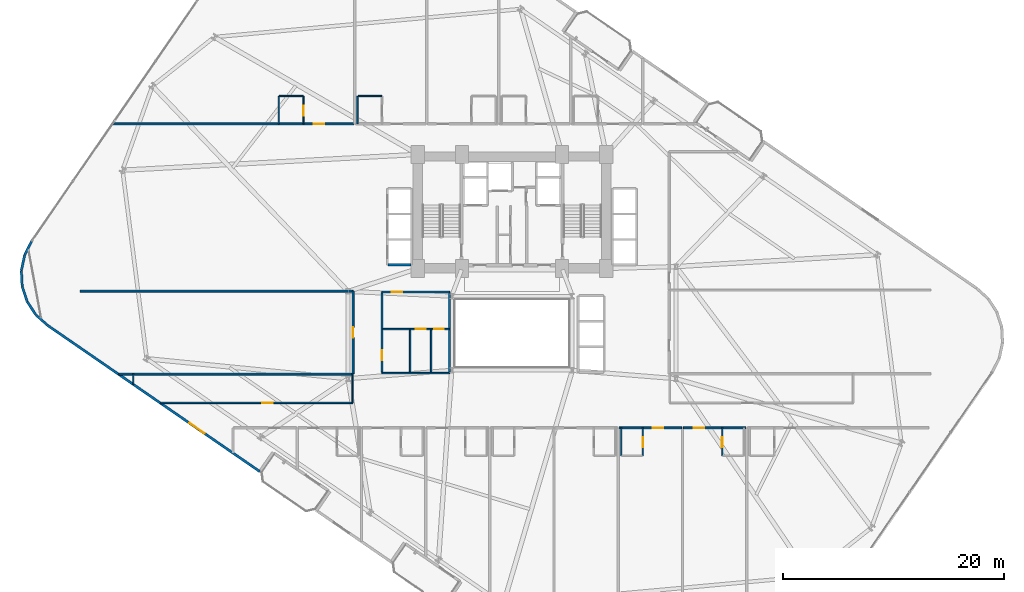
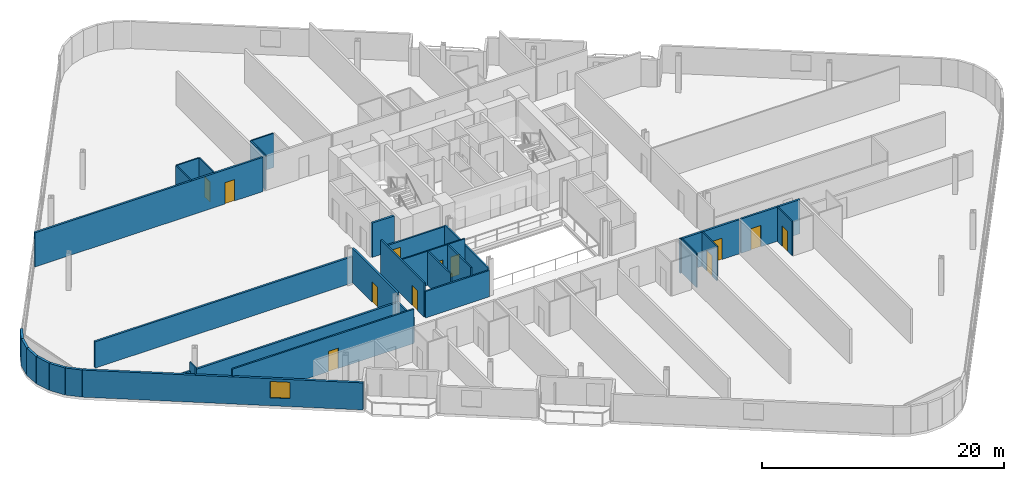
# One storey, part 20 of 27: 32 walls, 12 doors, 1 window, 13 openings.
"""IFC4 building model written with IfcOpenShell, lengths in metres."""

from ifc_helpers import new_model, si_unit, direction, frame, frame_2d, origin, place, context, subcontext, project, spatial, rectangle, extrude, material, layer, layer_set, type_object, element, fill, save


model = new_model("IFC4")

# Units and contexts
model_context = context("Model", 3, precision=1e-05, world=origin(), true_north=direction((0.0, 1.0)))
body_context = subcontext(model_context, "Body", "Model", "MODEL_VIEW")
ifc_project = project(units=[si_unit("LENGTHUNIT", "METRE"), si_unit("AREAUNIT", "SQUARE_METRE"), si_unit("VOLUMEUNIT", "CUBIC_METRE"), si_unit("PLANEANGLEUNIT", "RADIAN"), si_unit("MASSUNIT", "GRAM", prefix="KILO")], contexts=[model_context])

# Site, building, storey
site_placement = place(None, origin())
site = spatial("IfcSite", under=ifc_project, at=site_placement, CompositionType="ELEMENT")
building_placement = place(site_placement, origin())
building = spatial("IfcBuilding", under=site, at=building_placement, Name="Varnelok Gate Tower", CompositionType="ELEMENT")
storey_placement = place(building_placement, frame((0.0, 0.0, 60.300048828125)))
storey = spatial("IfcBuildingStorey", under=building, at=storey_placement, Name="L14", CompositionType="ELEMENT", Elevation=60.300048828125)

# Walls
ifc_material_1 = material(Name="Concrete C45/55", Category="concrete")
ifc_layer_1 = layer(ifc_material_1, 0.219970703125)
ifc_layer_set_1 = layer_set([ifc_layer_1], Name="Concrete C45/55")
wall_type_1 = type_object("IfcWallType", Name="EW-BALC-220", PredefinedType="SOLIDWALL", material=ifc_layer_set_1)
wall_1_placement = place(storey_placement, frame((-4.158203125, 31.24462890625, 0.0), z_axis=(0.0, 0.0, 1.0), x_axis=(-0.454777156549, -0.890605264908, 0.0)))
element("IfcWall", 1, at=wall_1_placement, inside=storey, type_object=wall_type_1, Name="L14 Perimeter Facade Closure Wall 1", PredefinedType="SOLIDWALL", context=body_context, shape_type="SweptSolid", body=[
    extrude(rectangle(XDim=1.43017578125, YDim=0.219970703125, at=frame_2d((0.715087890625, 0.0))), origin(), (0.0, 0.0, 1.0), 2.72998046875),
])
for number, where, z_axis, x_axis, name in (
    (2, (-4.81396484375, 29.946533203125, 0.0), (0.0, 0.0, 1.0), (-0.208829011645, -0.977952168511, 0.0), "L14 Perimeter Facade Closure Wall 2"),
    (3, (-5.106201171875, 28.547119140625, 0.0), (0.0, 0.0, 1.0), (0.051254741739, -0.998685611917, 0.0), "L14 Perimeter Facade Closure Wall 3"),
    (4, (-5.026611328125, 27.1201171875, 0.0), (0.0, 0.0, 1.0), (0.308190297603, -0.95132472924, 0.0), "L14 Perimeter Facade Closure Wall 4"),
    (5, (-4.580078125, 25.76220703125, 0.0), (0.0, 0.0, 1.0), (0.543748195851, -0.839248413468, 0.0), "L14 Perimeter Facade Closure Wall 5"),
):
    element("IfcWall", number, at=place(storey_placement, frame(where, z_axis=z_axis, x_axis=x_axis)), inside=storey, type_object=wall_type_1, Name=name, PredefinedType="SOLIDWALL", context=body_context, shape_type="SweptSolid", body=[
        extrude(rectangle(XDim=1.4052734375, YDim=0.219970703125, at=frame_2d((0.70263671875, 0.0))), origin(), (0.0, 0.0, 1.0), 2.72998046875),
    ])
wall_2_placement = place(storey_placement, frame((-3.79736328125, 24.56591796875, 0.0), z_axis=(0.0, 0.0, 1.0), x_axis=(0.742537711837, -0.66980425984, 0.0)))
element("IfcWall", 6, at=wall_2_placement, inside=storey, type_object=wall_type_1, Name="L14 Perimeter Facade Closure Wall 6", PredefinedType="SOLIDWALL", context=body_context, shape_type="SweptSolid", body=[
    extrude(rectangle(XDim=1.4130859375, YDim=0.219970703125, at=frame_2d((0.70654296875, 0.0))), origin(), (0.0, 0.0, 1.0), 2.72998046875),
])

# Wall, opening, window
wall_3_placement = place(storey_placement, frame((-2.7275390625, 23.60498046875, 0.0), z_axis=(0.0, 0.0, 1.0), x_axis=(0.823535075462, -0.567265351915, 0.0)))
wall_3 = element("IfcWall", 7, at=wall_3_placement, inside=storey, type_object=wall_type_1, Name="L14 Perimeter Facade Closure Wall 7", PredefinedType="SOLIDWALL", context=body_context, shape_type="SweptSolid", body=[
    extrude(rectangle(XDim=23.2470703125, YDim=0.219970703125, at=frame_2d((11.62353515625, 0.0))), origin(), (0.0, 0.0, 1.0), 2.72998046875),
])
opening_1_placement = place(wall_3_placement, frame((15.550048828125, 0.0, 0.800048828125)))
opening_1 = element("IfcOpeningElement", 8, at=opening_1_placement, cuts=wall_3, Name="Opening WN3", PredefinedType="OPENING", context=body_context, shape_type="SweptSolid", body=[
    extrude(rectangle(XDim=1.64990234375, YDim=1.64990234375, at=frame_2d((0.824951171875, 0.824951171875))), frame((0.0, 0.119873046875, 0.0), z_axis=(0.0, -1.0, 0.0), x_axis=(1.0, 0.0, 0.0)), (0.0, 0.0, 1.0), 0.239990234375),
])
ifc_material_2 = material(Name="Low-E Laminated Double Glazing IGU", Category="glass")
window_type = type_object("IfcWindowType", Name="WN-HTL-1650", PartitioningType="SINGLE_PANEL", PredefinedType="WINDOW", material=ifc_material_2)
window_placement = place(opening_1_placement, origin())
window = element("IfcWindow", 9, at=window_placement, inside=storey, type_object=window_type, Name="L14 Perimeter Vision Window 7", OverallHeight=1.64990234375, OverallWidth=1.64990234375, PartitioningType="SINGLE_PANEL", PredefinedType="WINDOW", context=body_context, shape_type="SweptSolid", body=[
    extrude(rectangle(XDim=1.64990234375, YDim=1.64990234375, at=frame_2d((0.824951171875, 0.824951171875))), frame((0.0, 0.030029296875, 0.0), z_axis=(0.0, -1.0, 0.0), x_axis=(1.0, 0.0, 0.0)), (0.0, 0.0, 1.0), 0.06005859375),
])
fill(opening_1, window)

# Wall, opening, door
ifc_material_3 = material(Name="Gypsum Plasterboard Acoustic Partition", Category="gypsum")
ifc_layer_2 = layer(ifc_material_3, 0.179931640625)
ifc_layer_set_2 = layer_set([ifc_layer_2], Name="Gypsum Plasterboard Acoustic Partition")
wall_type_2 = type_object("IfcWallType", Name="PW-CORR-180", PredefinedType="PARTITIONING", material=ifc_layer_set_2)
wall_4_placement = place(storey_placement, frame((48.8798828125, 14.35009765625, 0.0), z_axis=(0.0, 0.0, 1.0), x_axis=(1.0, 0.0, 0.0)))
wall_4 = element("IfcWall", 10, at=wall_4_placement, inside=storey, type_object=wall_type_2, Name="Interior Partition", PredefinedType="PARTITIONING", context=body_context, shape_type="SweptSolid", body=[
    extrude(rectangle(XDim=5.64013671875, YDim=0.179931640625, at=frame_2d((2.820068359375, 0.0))), origin(), (0.0, 0.0, 1.0), 3.449951171875),
])
opening_2_placement = place(wall_4_placement, frame((3.044677734375, 0.0, 0.0)))
opening_2 = element("IfcOpeningElement", 11, at=opening_2_placement, cuts=wall_4, Name="Opening D-HT", PredefinedType="OPENING", context=body_context, shape_type="SweptSolid", body=[
    extrude(rectangle(XDim=0.949951171875, YDim=2.14990234375, at=frame_2d((0.47509765625, 1.074951171875))), frame((0.0, 0.099853515625, 0.0), z_axis=(0.0, -1.0, 0.0), x_axis=(1.0, 0.0, 0.0)), (0.0, 0.0, 1.0), 0.199951171875),
])
ifc_material_4 = material(Name="Engineered Hardwood Timber", Category="wood")
door_type_1 = type_object("IfcDoorType", Name="DR-HTL-950", OperationType="NOTDEFINED", PredefinedType="DOOR", material=ifc_material_4)
door_1_placement = place(opening_2_placement, origin())
door_1 = element("IfcDoor", 12, at=door_1_placement, inside=storey, type_object=door_type_1, Name="L14 Guest Room 08 Entrance Door", OperationType="SINGLE_SWING_LEFT", OverallHeight=2.14990234375, OverallWidth=0.949951171875, PredefinedType="DOOR", context=body_context, shape_type="SweptSolid", body=[
    extrude(rectangle(XDim=0.949951171875, YDim=2.14990234375, at=frame_2d((0.47509765625, 1.074951171875))), frame((0.0, 0.02490234375, 0.0), z_axis=(0.0, -1.0, 0.0), x_axis=(1.0, 0.0, 0.0)), (0.0, 0.0, 1.0), 0.050048828125),
])
fill(opening_2, door_1)

wall_5_placement = place(storey_placement, frame((54.679931640625, 14.35009765625, 0.0), z_axis=(0.0, 0.0, 1.0), x_axis=(1.0, 0.0, 0.0)))
wall_5 = element("IfcWall", 13, at=wall_5_placement, inside=storey, type_object=wall_type_2, Name="Interior Partition", PredefinedType="PARTITIONING", context=body_context, shape_type="SweptSolid", body=[
    extrude(rectangle(XDim=5.64013671875, YDim=0.179931640625, at=frame_2d((2.820068359375, 0.0))), origin(), (0.0, 0.0, 1.0), 3.449951171875),
])
opening_3_placement = place(wall_5_placement, frame((0.9326171875, 0.0, 0.0)))
opening_3 = element("IfcOpeningElement", 14, at=opening_3_placement, cuts=wall_5, Name="Opening D-HT", PredefinedType="OPENING", context=body_context, shape_type="SweptSolid", body=[
    extrude(rectangle(XDim=0.949951171875, YDim=2.14990234375, at=frame_2d((0.47509765625, 1.074951171875))), frame((0.0, 0.099853515625, 0.0), z_axis=(0.0, -1.0, 0.0), x_axis=(1.0, 0.0, 0.0)), (0.0, 0.0, 1.0), 0.199951171875),
])
door_2_placement = place(opening_3_placement, origin())
door_2 = element("IfcDoor", 15, at=door_2_placement, inside=storey, type_object=door_type_1, Name="L14 Guest Room 09 Entrance Door", OperationType="SINGLE_SWING_RIGHT", OverallHeight=2.14990234375, OverallWidth=0.949951171875, PredefinedType="DOOR", context=body_context, shape_type="SweptSolid", body=[
    extrude(rectangle(XDim=0.949951171875, YDim=2.14990234375, at=frame_2d((0.47509765625, 1.074951171875))), frame((0.0, 0.02490234375, 0.0), z_axis=(0.0, -1.0, 0.0), x_axis=(1.0, 0.0, 0.0)), (0.0, 0.0, 1.0), 0.050048828125),
])
fill(opening_3, door_2)

wall_6_placement = place(storey_placement, frame((3.17578125, 41.800048828125, 0.0), z_axis=(0.0, 0.0, 1.0), x_axis=(1.0, 0.0, 0.0)))
wall_6 = element("IfcWall", 16, at=wall_6_placement, inside=storey, type_object=wall_type_2, Name="Interior Partition", PredefinedType="PARTITIONING", context=body_context, shape_type="SweptSolid", body=[
    extrude(rectangle(XDim=21.744140625, YDim=0.179931640625, at=frame_2d((10.8720703125, 0.0))), origin(), (0.0, 0.0, 1.0), 3.449951171875),
])
opening_4_placement = place(wall_6_placement, frame((18.100830078125, 0.0, 0.0)))
opening_4 = element("IfcOpeningElement", 17, at=opening_4_placement, cuts=wall_6, Name="Opening D-HT", PredefinedType="OPENING", context=body_context, shape_type="SweptSolid", body=[
    extrude(rectangle(XDim=0.949951171875, YDim=2.14990234375, at=frame_2d((0.47509765625, 1.074951171875))), frame((0.0, 0.099853515625, 0.0), z_axis=(0.0, -1.0, 0.0), x_axis=(1.0, 0.0, 0.0)), (0.0, 0.0, 1.0), 0.199951171875),
])
door_3_placement = place(opening_4_placement, origin())
door_3 = element("IfcDoor", 18, at=door_3_placement, inside=storey, type_object=door_type_1, Name="L14 Guest Room 11 Entrance Door", OperationType="SINGLE_SWING_RIGHT", OverallHeight=2.14990234375, OverallWidth=0.949951171875, PredefinedType="DOOR", context=body_context, shape_type="SweptSolid", body=[
    extrude(rectangle(XDim=0.949951171875, YDim=2.14990234375, at=frame_2d((0.47509765625, 1.074951171875))), frame((0.0, 0.02490234375, 0.0), z_axis=(0.0, -1.0, 0.0), x_axis=(1.0, 0.0, 0.0)), (0.0, 0.0, 1.0), 0.050048828125),
])
fill(opening_4, door_3)

wall_7_placement = place(storey_placement, frame((24.85009765625, 19.239990234375, 0.0), z_axis=(0.0, 0.0, 1.0), x_axis=(0.0, 1.0, 0.0)))
wall_7 = element("IfcWall", 19, at=wall_7_placement, inside=storey, type_object=wall_type_2, Name="Interior Partition", PredefinedType="PARTITIONING", context=body_context, shape_type="SweptSolid", body=[
    extrude(rectangle(XDim=7.4599609375, YDim=0.179931640625, at=frame_2d((3.72998046875, 0.0))), origin(), (0.0, 0.0, 1.0), 3.449951171875),
])
opening_5_placement = place(wall_7_placement, frame((3.235107421875, 0.0, 0.0)))
opening_5 = element("IfcOpeningElement", 20, at=opening_5_placement, cuts=wall_7, Name="Opening D-I2", PredefinedType="OPENING", context=body_context, shape_type="SweptSolid", body=[
    extrude(rectangle(XDim=0.949951171875, YDim=2.050048828125, at=frame_2d((0.47509765625, 1.02490234375))), frame((0.0, 0.099853515625, 0.0), z_axis=(0.0, -1.0, 0.0), x_axis=(1.0, 0.0, 0.0)), (0.0, 0.0, 1.0), 0.199951171875),
])
door_type_2 = type_object("IfcDoorType", Name="DR-INT-950", OperationType="NOTDEFINED", PredefinedType="DOOR", material=ifc_material_4)
door_4_placement = place(opening_5_placement, origin())
door_4 = element("IfcDoor", 21, at=door_4_placement, inside=storey, type_object=door_type_2, Name="L14 West Flank Room Door", OperationType="SINGLE_SWING_LEFT", OverallHeight=2.050048828125, OverallWidth=0.949951171875, PredefinedType="DOOR", context=body_context, shape_type="SweptSolid", body=[
    extrude(rectangle(XDim=0.949951171875, YDim=2.050048828125, at=frame_2d((0.47509765625, 1.02490234375))), frame((0.0, 0.02490234375, 0.0), z_axis=(0.0, -1.0, 0.0), x_axis=(1.0, 0.0, 0.0)), (0.0, 0.0, 1.0), 0.050048828125),
])
fill(opening_5, door_4)

# Walls
wall_8_placement = place(storey_placement, frame((3.702880859375, 19.199951171875, 0.0), z_axis=(0.0, 0.0, 1.0), x_axis=(1.0, 0.0, 0.0)))
element("IfcWall", 22, at=wall_8_placement, inside=storey, type_object=wall_type_2, Name="Interior Partition", PredefinedType="PARTITIONING", context=body_context, shape_type="SweptSolid", body=[
    extrude(rectangle(XDim=21.147216796875, YDim=0.179931640625, at=frame_2d((10.57373046875, 0.0))), origin(), (0.0, 0.0, 1.0), 2.579833984375),
])
wall_9_placement = place(storey_placement, frame((0.199951171875, 26.699951171875, 0.0), z_axis=(0.0, 0.0, 1.0), x_axis=(1.0, 0.0, 0.0)))
element("IfcWall", 23, at=wall_9_placement, inside=storey, type_object=wall_type_2, Name="Interior Partition", PredefinedType="PARTITIONING", context=body_context, shape_type="SweptSolid", body=[
    extrude(rectangle(XDim=24.650146484375, YDim=0.179931640625, at=frame_2d((12.3251953125, 0.0))), origin(), (0.0, 0.0, 1.0), 2.661865234375),
])

# Wall, opening, door
ifc_layer_3 = layer(ifc_material_3, 0.114990234375)
ifc_layer_set_3 = layer_set([ifc_layer_3], Name="Gypsum Plasterboard Acoustic Partition")
wall_type_3 = type_object("IfcWallType", Name="PW-ENS-125", PredefinedType="PARTITIONING", material=ifc_layer_set_3)
wall_10_placement = place(storey_placement, frame((51.011962890625, 11.830078125, 0.0), z_axis=(0.0, 0.0, 1.0), x_axis=(0.0, 1.0, 0.0)))
wall_10 = element("IfcWall", 24, at=wall_10_placement, inside=storey, type_object=wall_type_3, Name="Interior Partition", PredefinedType="PARTITIONING", context=body_context, shape_type="SweptSolid", body=[
    extrude(rectangle(XDim=2.52001953125, YDim=0.114990234375, at=frame_2d((1.260009765625, 0.0))), origin(), (0.0, 0.0, 1.0), 3.449951171875),
])
opening_6_placement = place(wall_10_placement, frame((0.760009765625, 0.0, 0.0)))
opening_6 = element("IfcOpeningElement", 25, at=opening_6_placement, cuts=wall_10, Name="Opening D-WC", PredefinedType="OPENING", context=body_context, shape_type="SweptSolid", body=[
    extrude(rectangle(XDim=0.89990234375, YDim=2.050048828125, at=frame_2d((0.449951171875, 1.02490234375))), frame((0.0, 0.0673828125, 0.0), z_axis=(0.0, -1.0, 0.0), x_axis=(1.0, 0.0, 0.0)), (0.0, 0.0, 1.0), 0.135009765625),
])
door_type_3 = type_object("IfcDoorType", Name="DR-BATH-900", OperationType="NOTDEFINED", PredefinedType="DOOR", material=ifc_material_4)
door_5_placement = place(opening_6_placement, origin())
door_5 = element("IfcDoor", 26, at=door_5_placement, inside=storey, type_object=door_type_3, Name="L14 Guest En-Suite 08 Door", OperationType="SINGLE_SWING_LEFT", OverallHeight=2.050048828125, OverallWidth=0.89990234375, PredefinedType="DOOR", context=body_context, shape_type="SweptSolid", body=[
    extrude(rectangle(XDim=0.89990234375, YDim=2.050048828125, at=frame_2d((0.449951171875, 1.02490234375))), frame((0.0, 0.02490234375, 0.0), z_axis=(0.0, -1.0, 0.0), x_axis=(1.0, 0.0, 0.0)), (0.0, 0.0, 1.0), 0.050048828125),
])
fill(opening_6, door_5)

# Wall
wall_11_placement = place(storey_placement, frame((49.06005859375, 11.830078125, 0.0), z_axis=(0.0, 0.0, 1.0), x_axis=(0.0, 1.0, 0.0)))
element("IfcWall", 27, at=wall_11_placement, inside=storey, type_object=wall_type_3, Name="Interior Partition", PredefinedType="PARTITIONING", context=body_context, shape_type="SweptSolid", body=[
    extrude(rectangle(XDim=2.52001953125, YDim=0.114990234375, at=frame_2d((1.260009765625, 0.0))), origin(), (0.0, 0.0, 1.0), 3.449951171875),
])

# Wall, opening, door
wall_12_placement = place(storey_placement, frame((58.18798828125, 11.830078125, 0.0), z_axis=(0.0, 0.0, 1.0), x_axis=(0.0, 1.0, 0.0)))
wall_12 = element("IfcWall", 28, at=wall_12_placement, inside=storey, type_object=wall_type_3, Name="Interior Partition", PredefinedType="PARTITIONING", context=body_context, shape_type="SweptSolid", body=[
    extrude(rectangle(XDim=2.52001953125, YDim=0.114990234375, at=frame_2d((1.260009765625, 0.0))), origin(), (0.0, 0.0, 1.0), 3.449951171875),
])
opening_7_placement = place(wall_12_placement, frame((0.760009765625, 0.0, 0.0)))
opening_7 = element("IfcOpeningElement", 29, at=opening_7_placement, cuts=wall_12, Name="Opening D-WC", PredefinedType="OPENING", context=body_context, shape_type="SweptSolid", body=[
    extrude(rectangle(XDim=0.89990234375, YDim=2.050048828125, at=frame_2d((0.449951171875, 1.02490234375))), frame((0.0, 0.0673828125, 0.0), z_axis=(0.0, -1.0, 0.0), x_axis=(1.0, 0.0, 0.0)), (0.0, 0.0, 1.0), 0.135009765625),
])
door_6_placement = place(opening_7_placement, origin())
door_6 = element("IfcDoor", 30, at=door_6_placement, inside=storey, type_object=door_type_3, Name="L14 Guest En-Suite 09 Door", OperationType="SINGLE_SWING_RIGHT", OverallHeight=2.050048828125, OverallWidth=0.89990234375, PredefinedType="DOOR", context=body_context, shape_type="SweptSolid", body=[
    extrude(rectangle(XDim=0.89990234375, YDim=2.050048828125, at=frame_2d((0.449951171875, 1.02490234375))), frame((0.0, 0.02490234375, 0.0), z_axis=(0.0, -1.0, 0.0), x_axis=(1.0, 0.0, 0.0)), (0.0, 0.0, 1.0), 0.050048828125),
])
fill(opening_7, door_6)

# Wall
wall_13_placement = place(storey_placement, frame((18.179931640625, 44.320068359375, 0.0), z_axis=(0.0, 0.0, 1.0), x_axis=(1.0, 0.0, 0.0)))
element("IfcWall", 31, at=wall_13_placement, inside=storey, type_object=wall_type_3, Name="Interior Partition", PredefinedType="PARTITIONING", context=body_context, shape_type="SweptSolid", body=[
    extrude(rectangle(XDim=2.150146484375, YDim=0.114990234375, at=frame_2d((1.0751953125, 0.0))), origin(), (0.0, 0.0, 1.0), 3.449951171875),
])

# Wall, opening, door
wall_14_placement = place(storey_placement, frame((20.3701171875, 41.800048828125, 0.0), z_axis=(0.0, 0.0, 1.0), x_axis=(0.0, 1.0, 0.0)))
wall_14 = element("IfcWall", 32, at=wall_14_placement, inside=storey, type_object=wall_type_3, Name="Interior Partition", PredefinedType="PARTITIONING", context=body_context, shape_type="SweptSolid", body=[
    extrude(rectangle(XDim=2.52001953125, YDim=0.114990234375, at=frame_2d((1.260009765625, 0.0))), origin(), (0.0, 0.0, 1.0), 3.449951171875),
])
opening_8_placement = place(wall_14_placement, frame((0.760009765625, 0.0, 0.0)))
opening_8 = element("IfcOpeningElement", 33, at=opening_8_placement, cuts=wall_14, Name="Opening D-WC", PredefinedType="OPENING", context=body_context, shape_type="SweptSolid", body=[
    extrude(rectangle(XDim=0.89990234375, YDim=2.050048828125, at=frame_2d((0.449951171875, 1.02490234375))), frame((0.0, 0.0673828125, 0.0), z_axis=(0.0, -1.0, 0.0), x_axis=(1.0, 0.0, 0.0)), (0.0, 0.0, 1.0), 0.135009765625),
])
door_7_placement = place(opening_8_placement, origin())
door_7 = element("IfcDoor", 34, at=door_7_placement, inside=storey, type_object=door_type_3, Name="L14 North En-Suite 11 Door", OperationType="SINGLE_SWING_RIGHT", OverallHeight=2.050048828125, OverallWidth=0.89990234375, PredefinedType="DOOR", context=body_context, shape_type="SweptSolid", body=[
    extrude(rectangle(XDim=0.89990234375, YDim=2.050048828125, at=frame_2d((0.449951171875, 1.02490234375))), frame((0.0, 0.02490234375, 0.0), z_axis=(0.0, -1.0, 0.0), x_axis=(1.0, 0.0, 0.0)), (0.0, 0.0, 1.0), 0.050048828125),
])
fill(opening_8, door_7)

# Walls
wall_15_placement = place(storey_placement, frame((18.139892578125, 41.800048828125, 0.0), z_axis=(0.0, 0.0, 1.0), x_axis=(0.0, 1.0, 0.0)))
element("IfcWall", 35, at=wall_15_placement, inside=storey, type_object=wall_type_3, Name="Interior Partition", PredefinedType="PARTITIONING", context=body_context, shape_type="SweptSolid", body=[
    extrude(rectangle(XDim=2.52001953125, YDim=0.114990234375, at=frame_2d((1.260009765625, 0.0))), origin(), (0.0, 0.0, 1.0), 3.449951171875),
])
wall_16_placement = place(storey_placement, frame((25.300048828125, 44.320068359375, 0.0), z_axis=(0.0, 0.0, 1.0), x_axis=(1.0, 0.0, 0.0)))
element("IfcWall", 36, at=wall_16_placement, inside=storey, type_object=wall_type_3, Name="Interior Partition", PredefinedType="PARTITIONING", context=body_context, shape_type="SweptSolid", body=[
    extrude(rectangle(XDim=2.1240234375, YDim=0.114990234375, at=frame_2d((1.06201171875, 0.0))), origin(), (0.0, 0.0, 1.0), 3.449951171875),
])
wall_17_placement = place(storey_placement, frame((25.260009765625, 41.800048828125, 0.0), z_axis=(0.0, 0.0, 1.0), x_axis=(0.0, 1.0, 0.0)))
element("IfcWall", 37, at=wall_17_placement, inside=storey, type_object=wall_type_3, Name="Interior Partition", PredefinedType="PARTITIONING", context=body_context, shape_type="SweptSolid", body=[
    extrude(rectangle(XDim=2.52001953125, YDim=0.114990234375, at=frame_2d((1.260009765625, 0.0))), origin(), (0.0, 0.0, 1.0), 3.449951171875),
])
ifc_layer_4 = layer(ifc_material_3, 0.125)
ifc_layer_set_4 = layer_set([ifc_layer_4], Name="Gypsum Plasterboard Acoustic Partition")
wall_type_4 = type_object("IfcWallType", Name="PW-PART-125", PredefinedType="PARTITIONING", material=ifc_layer_set_4)
wall_18_placement = place(storey_placement, frame((5.0, 18.306396484375, 0.0), z_axis=(0.0, 0.0, 1.0), x_axis=(0.0, 1.0, 0.0)))
element("IfcWall", 38, at=wall_18_placement, inside=storey, type_object=wall_type_4, Name="Interior Partition", PredefinedType="PARTITIONING", context=body_context, shape_type="SweptSolid", body=[
    extrude(rectangle(XDim=0.93359375, YDim=0.125, at=frame_2d((0.466796875, 0.0))), origin(), (0.0, 0.0, 1.0), 3.449951171875),
])
wall_19_placement = place(storey_placement, frame((24.800048828125, 16.610107421875, 0.0), z_axis=(0.0, 0.0, 1.0), x_axis=(0.0, 1.0, 0.0)))
element("IfcWall", 39, at=wall_19_placement, inside=storey, type_object=wall_type_4, Name="Interior Partition", PredefinedType="PARTITIONING", context=body_context, shape_type="SweptSolid", body=[
    extrude(rectangle(XDim=2.6298828125, YDim=0.125, at=frame_2d((1.31494140625, 0.0))), origin(), (0.0, 0.0, 1.0), 2.579833984375),
])

# Wall, openings, doors
wall_20_placement = place(storey_placement, frame((27.52001953125, 23.27001953125, 0.0), z_axis=(0.0, 0.0, 1.0), x_axis=(1.0, 0.0, 0.0)))
wall_20 = element("IfcWall", 40, at=wall_20_placement, inside=storey, type_object=wall_type_4, Name="Interior Partition", PredefinedType="PARTITIONING", context=body_context, shape_type="SweptSolid", body=[
    extrude(rectangle(XDim=6.0, YDim=0.125, at=frame_2d((3.0, 0.0))), origin(), (0.0, 0.0, 1.0), 3.449951171875),
])
opening_9_placement = place(wall_20_placement, frame((2.981689453125, 0.0, 0.0)))
opening_9 = element("IfcOpeningElement", 41, at=opening_9_placement, cuts=wall_20, Name="Opening D-I4", PredefinedType="OPENING", context=body_context, shape_type="SweptSolid", body=[
    extrude(rectangle(XDim=0.89990234375, YDim=2.050048828125, at=frame_2d((0.449951171875, 1.02490234375))), frame((0.0, 0.072509765625, 0.0), z_axis=(0.0, -1.0, 0.0), x_axis=(1.0, 0.0, 0.0)), (0.0, 0.0, 1.0), 0.14501953125),
])
opening_10_placement = place(wall_20_placement, frame((4.64990234375, 0.0, 0.0)))
opening_10 = element("IfcOpeningElement", 42, at=opening_10_placement, cuts=wall_20, Name="Opening D-RS", PredefinedType="OPENING", context=body_context, shape_type="SweptSolid", body=[
    extrude(rectangle(XDim=0.85009765625, YDim=2.050048828125, at=frame_2d((0.425048828125, 1.02490234375))), frame((0.0, 0.072509765625, 0.0), z_axis=(0.0, -1.0, 0.0), x_axis=(1.0, 0.0, 0.0)), (0.0, 0.0, 1.0), 0.14501953125),
])
door_type_4 = type_object("IfcDoorType", Name="DR-INT-900", OperationType="NOTDEFINED", PredefinedType="DOOR", material=ifc_material_4)
door_8_placement = place(opening_9_placement, origin())
door_8 = element("IfcDoor", 43, at=door_8_placement, inside=storey, type_object=door_type_4, Name="L14 Trolley Room Door", OperationType="SINGLE_SWING_LEFT", OverallHeight=2.050048828125, OverallWidth=0.89990234375, PredefinedType="DOOR", context=body_context, shape_type="SweptSolid", body=[
    extrude(rectangle(XDim=0.89990234375, YDim=2.050048828125, at=frame_2d((0.449951171875, 1.02490234375))), frame((0.0, 0.02490234375, 0.0), z_axis=(0.0, -1.0, 0.0), x_axis=(1.0, 0.0, 0.0)), (0.0, 0.0, 1.0), 0.050048828125),
])
fill(opening_9, door_8)
ifc_material_5 = material(Name="Galvanized Steel Grade S350GD", Category="steel")
door_type_5 = type_object("IfcDoorType", Name="DR-RISER-850", OperationType="NOTDEFINED", PredefinedType="DOOR", material=ifc_material_5)
door_9_placement = place(opening_10_placement, origin())
door_9 = element("IfcDoor", 44, at=door_9_placement, inside=storey, type_object=door_type_5, Name="L14 Janitor Sink Door", OperationType="SINGLE_SWING_RIGHT", OverallHeight=2.050048828125, OverallWidth=0.85009765625, PredefinedType="DOOR", context=body_context, shape_type="SweptSolid", body=[
    extrude(rectangle(XDim=0.85009765625, YDim=2.050048828125, at=frame_2d((0.425048828125, 1.02490234375))), frame((0.0, 0.02490234375, 0.0), z_axis=(0.0, -1.0, 0.0), x_axis=(1.0, 0.0, 0.0)), (0.0, 0.0, 1.0), 0.050048828125),
])
fill(opening_10, door_9)

# Walls
for number, where, z_axis, x_axis, name in (
    (45, (30.0, 19.3798828125, 0.0), (0.0, 0.0, 1.0), (0.0, 1.0, 0.0), "Interior Partition"),
    (46, (31.89990234375, 19.3798828125, 0.0), (0.0, 0.0, 1.0), (0.0, 1.0, 0.0), "Interior Partition"),
):
    element("IfcWall", number, at=place(storey_placement, frame(where, z_axis=z_axis, x_axis=x_axis)), inside=storey, type_object=wall_type_4, Name=name, PredefinedType="PARTITIONING", context=body_context, shape_type="SweptSolid", body=[
        extrude(rectangle(XDim=3.820068359375, YDim=0.125, at=frame_2d((1.91015625, 0.0))), origin(), (0.0, 0.0, 1.0), 3.449951171875),
    ])

# Wall, opening, door
ifc_layer_5 = layer(ifc_material_3, 0.14990234375)
ifc_layer_set_5 = layer_set([ifc_layer_5], Name="Gypsum Plasterboard Acoustic Partition")
wall_type_5 = type_object("IfcWallType", Name="PW-PART-150", PredefinedType="PARTITIONING", material=ifc_layer_set_5)
wall_21_placement = place(storey_placement, frame((7.462890625, 16.610107421875, 0.0), z_axis=(0.0, 0.0, 1.0), x_axis=(1.0, 0.0, 0.0)))
wall_21 = element("IfcWall", 47, at=wall_21_placement, inside=storey, type_object=wall_type_5, Name="Interior Partition", PredefinedType="PARTITIONING", context=body_context, shape_type="SweptSolid", body=[
    extrude(rectangle(XDim=17.337158203125, YDim=0.14990234375, at=frame_2d((8.66845703125, 0.0))), origin(), (0.0, 0.0, 1.0), 3.449951171875),
])
opening_11_placement = place(wall_21_placement, frame((9.197265625, 0.0, 0.0)))
opening_11 = element("IfcOpeningElement", 48, at=opening_11_placement, cuts=wall_21, Name="Opening D-I3", PredefinedType="OPENING", context=body_context, shape_type="SweptSolid", body=[
    extrude(rectangle(XDim=0.919921875, YDim=2.050048828125, at=frame_2d((0.4599609375, 1.02490234375))), frame((0.0, 0.0849609375, 0.0), z_axis=(0.0, -1.0, 0.0), x_axis=(1.0, 0.0, 0.0)), (0.0, 0.0, 1.0), 0.169921875),
])
door_type_6 = type_object("IfcDoorType", Name="DR-INT-920", OperationType="NOTDEFINED", PredefinedType="DOOR", material=ifc_material_4)
door_10_placement = place(opening_11_placement, origin())
door_10 = element("IfcDoor", 49, at=door_10_placement, inside=storey, type_object=door_type_6, Name="L14 Atrium Room 1 Door", OperationType="SINGLE_SWING_LEFT", OverallHeight=2.050048828125, OverallWidth=0.919921875, PredefinedType="DOOR", context=body_context, shape_type="SweptSolid", body=[
    extrude(rectangle(XDim=0.919921875, YDim=2.050048828125, at=frame_2d((0.4599609375, 1.02490234375))), frame((0.0, 0.02490234375, 0.0), z_axis=(0.0, -1.0, 0.0), x_axis=(1.0, 0.0, 0.0)), (0.0, 0.0, 1.0), 0.050048828125),
])
fill(opening_11, door_10)

wall_22_placement = place(storey_placement, frame((27.4599609375, 26.6201171875, 0.0), z_axis=(0.0, 0.0, 1.0), x_axis=(1.0, 0.0, 0.0)))
wall_22 = element("IfcWall", 50, at=wall_22_placement, inside=storey, type_object=wall_type_5, Name="Interior Partition", PredefinedType="PARTITIONING", context=body_context, shape_type="SweptSolid", body=[
    extrude(rectangle(XDim=6.10009765625, YDim=0.14990234375, at=frame_2d((3.050048828125, 0.0))), origin(), (0.0, 0.0, 1.0), 2.661865234375),
])
opening_12_placement = place(wall_22_placement, frame((0.8896484375, 0.0, 0.0)))
opening_12 = element("IfcOpeningElement", 51, at=opening_12_placement, cuts=wall_22, Name="Opening D-I2", PredefinedType="OPENING", context=body_context, shape_type="SweptSolid", body=[
    extrude(rectangle(XDim=0.949951171875, YDim=2.050048828125, at=frame_2d((0.47509765625, 1.02490234375))), frame((0.0, 0.0849609375, 0.0), z_axis=(0.0, -1.0, 0.0), x_axis=(1.0, 0.0, 0.0)), (0.0, 0.0, 1.0), 0.169921875),
])
door_11_placement = place(opening_12_placement, origin())
door_11 = element("IfcDoor", 52, at=door_11_placement, inside=storey, type_object=door_type_2, Name="L14 Sky Library Door", OperationType="SINGLE_SWING_LEFT", OverallHeight=2.050048828125, OverallWidth=0.949951171875, PredefinedType="DOOR", context=body_context, shape_type="SweptSolid", body=[
    extrude(rectangle(XDim=0.949951171875, YDim=2.050048828125, at=frame_2d((0.47509765625, 1.02490234375))), frame((0.0, 0.02490234375, 0.0), z_axis=(0.0, -1.0, 0.0), x_axis=(1.0, 0.0, 0.0)), (0.0, 0.0, 1.0), 0.050048828125),
])
fill(opening_12, door_11)

# Wall
wall_23_placement = place(storey_placement, frame((27.4599609375, 19.300048828125, 0.0), z_axis=(0.0, 0.0, 1.0), x_axis=(1.0, 0.0, 0.0)))
element("IfcWall", 53, at=wall_23_placement, inside=storey, type_object=wall_type_5, Name="Interior Partition", PredefinedType="PARTITIONING", context=body_context, shape_type="SweptSolid", body=[
    extrude(rectangle(XDim=6.10009765625, YDim=0.14990234375, at=frame_2d((3.050048828125, 0.0))), origin(), (0.0, 0.0, 1.0), 2.661865234375),
])

# Wall, opening, door
wall_24_placement = place(storey_placement, frame((27.4599609375, 19.3798828125, 0.0), z_axis=(0.0, 0.0, 1.0), x_axis=(0.0, 1.0, 0.0)))
wall_24 = element("IfcWall", 54, at=wall_24_placement, inside=storey, type_object=wall_type_5, Name="Interior Partition", PredefinedType="PARTITIONING", context=body_context, shape_type="SweptSolid", body=[
    extrude(rectangle(XDim=7.16015625, YDim=0.14990234375, at=frame_2d((3.580078125, 0.0))), origin(), (0.0, 0.0, 1.0), 3.449951171875),
])
opening_13_placement = place(wall_24_placement, frame((1.10009765625, 0.0, 0.0)))
opening_13 = element("IfcOpeningElement", 55, at=opening_13_placement, cuts=wall_24, Name="Opening D-WC", PredefinedType="OPENING", context=body_context, shape_type="SweptSolid", body=[
    extrude(rectangle(XDim=0.89990234375, YDim=2.050048828125, at=frame_2d((0.449951171875, 1.02490234375))), frame((0.0, 0.0849609375, 0.0), z_axis=(0.0, -1.0, 0.0), x_axis=(1.0, 0.0, 0.0)), (0.0, 0.0, 1.0), 0.169921875),
])
door_12_placement = place(opening_13_placement, origin())
door_12 = element("IfcDoor", 56, at=door_12_placement, inside=storey, type_object=door_type_3, Name="L14 Accessible Floor WC Door", OperationType="SINGLE_SWING_RIGHT", OverallHeight=2.050048828125, OverallWidth=0.89990234375, PredefinedType="DOOR", context=body_context, shape_type="SweptSolid", body=[
    extrude(rectangle(XDim=0.89990234375, YDim=2.050048828125, at=frame_2d((0.449951171875, 1.02490234375))), frame((0.0, 0.02490234375, 0.0), z_axis=(0.0, -1.0, 0.0), x_axis=(1.0, 0.0, 0.0)), (0.0, 0.0, 1.0), 0.050048828125),
])
fill(opening_13, door_12)

# Walls
wall_25_placement = place(storey_placement, frame((33.56005859375, 19.3798828125, 0.0), z_axis=(0.0, 0.0, 1.0), x_axis=(0.0, 1.0, 0.0)))
element("IfcWall", 57, at=wall_25_placement, inside=storey, type_object=wall_type_5, Name="Interior Partition", PredefinedType="PARTITIONING", context=body_context, shape_type="SweptSolid", body=[
    extrude(rectangle(XDim=7.16015625, YDim=0.14990234375, at=frame_2d((3.580078125, 0.0))), origin(), (0.0, 0.0, 1.0), 2.823974609375),
])
ifc_material_6 = material(Name="Concrete C35/45", Category="concrete")
ifc_layer_6 = layer(ifc_material_6, 0.199951171875)
ifc_layer_set_6 = layer_set([ifc_layer_6], Name="Concrete C35/45")
wall_type_6 = type_object("IfcWallType", Name="PW-SHAFT-200", PredefinedType="PARTITIONING", material=ifc_layer_set_6)
wall_26_placement = place(storey_placement, frame((28.0, 29.080078125, 0.0), z_axis=(0.0, 0.0, 1.0), x_axis=(1.0, 0.0, 0.0)))
element("IfcWall", 58, at=wall_26_placement, inside=storey, type_object=wall_type_6, Name="L14 PL Bank South Wall", PredefinedType="PARTITIONING", context=body_context, shape_type="SweptSolid", body=[
    extrude(rectangle(XDim=2.10009765625, YDim=0.199951171875, at=frame_2d((1.050048828125, 0.0))), origin(), (0.0, 0.0, 1.0), 3.449951171875),
])

save(model, "model.ifc")
